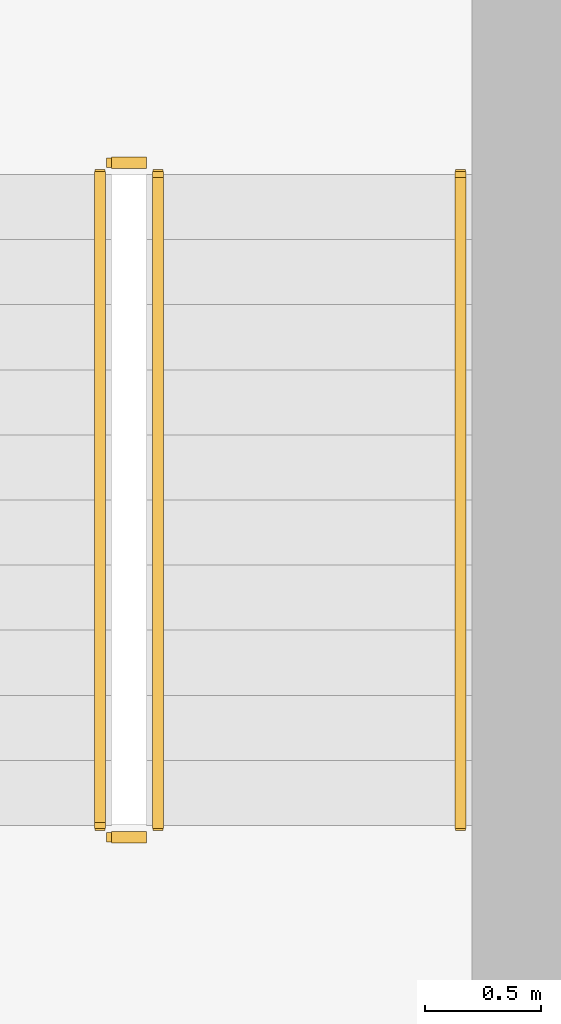
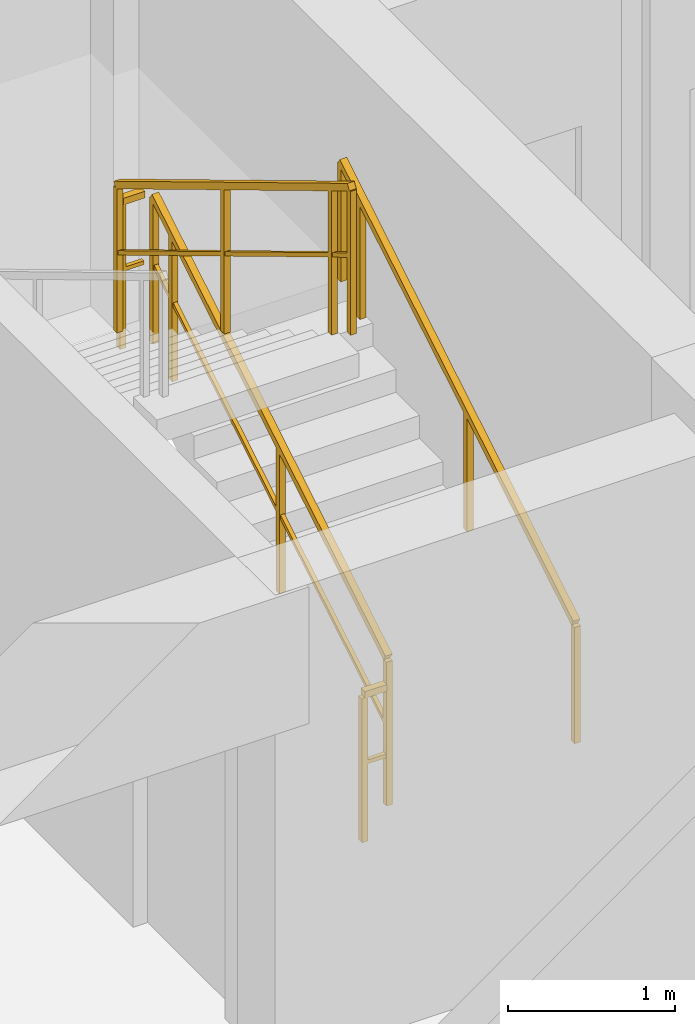
# One storey, part 16 of 17: 5 railings.
"""IFC4 building model written with IfcOpenShell, lengths in metres."""

from ifc_helpers import new_model, si_unit, direction, frame, origin, origin_2d, place, context, subcontext, project, spatial, rectangle, extrude, material, type_object, element, save


model = new_model("IFC4")

# Units and contexts
model_context = context("Model", 3, precision=1e-05, world=origin(), true_north=direction((0.0, 1.0)))
body_context = subcontext(model_context, "Body", "Model", "MODEL_VIEW")
ifc_project = project(units=[si_unit("LENGTHUNIT", "METRE"), si_unit("AREAUNIT", "SQUARE_METRE"), si_unit("VOLUMEUNIT", "CUBIC_METRE"), si_unit("PLANEANGLEUNIT", "RADIAN"), si_unit("MASSUNIT", "GRAM", prefix="KILO")], contexts=[model_context])

# Site, building, storey
site_placement = place(None, origin())
site = spatial("IfcSite", under=ifc_project, at=site_placement, CompositionType="ELEMENT")
building_placement = place(site_placement, origin())
building = spatial("IfcBuilding", under=site, at=building_placement, Name="Kaliganga Portal Commons", CompositionType="ELEMENT")
storey_placement = place(building_placement, frame((0.0, 0.0, 143.89990234375)))
storey = spatial("IfcBuildingStorey", under=building, at=storey_placement, Name="L36", CompositionType="ELEMENT", Elevation=143.89990234375)

# Railings
ifc_material_1 = material(Name="Galvanized Painted Steel Balustrade", Category="steel")
railing_type_1 = type_object("IfcRailingType", Name="RLG-STAIR-GRD", PredefinedType="GUARDRAIL", material=ifc_material_1)
railing_1_placement = place(storey_placement, frame((48.699951171875, 8.699951171875, 0.168212890625)))
element("IfcRailing", 1, at=railing_1_placement, inside=storey, type_object=railing_type_1, Name="L36 ST-B2 stair guard 1", PredefinedType="GUARDRAIL", context=body_context, shape_type="SweptSolid", body=[
    extrude(rectangle(XDim=0.048095703125, YDim=0.048095703125, at=origin_2d()), frame((0.0, 0.0, 1.072021484375), z_axis=(0.0, 0.857242210791, 0.514913383045), x_axis=(-1.0, 0.0, 0.0)), (0.0, 0.0, 1.0), 3.266357421875),
    extrude(rectangle(XDim=0.028076171875, YDim=0.028076171875, at=origin_2d()), frame((0.0, 0.0, 0.572021484375), z_axis=(0.0, 0.857242210791, 0.514913383045), x_axis=(-1.0, 0.0, 0.0)), (0.0, 0.0, 1.0), 3.266357421875),
    extrude(rectangle(XDim=0.0419921875, YDim=0.0419921875, at=origin_2d()), origin(), (0.0, 0.0, 1.0), 1.052001953125),
    extrude(rectangle(XDim=0.0419921875, YDim=0.0419921875, at=origin_2d()), frame((0.0, 1.285888671875, 0.7724609375)), (0.0, 0.0, 1.0), 1.052001953125),
    extrude(rectangle(XDim=0.0419921875, YDim=0.0419921875, at=origin_2d()), frame((0.0, 2.57177734375, 1.544677734375)), (0.0, 0.0, 1.0), 1.052001953125),
    extrude(rectangle(XDim=0.0419921875, YDim=0.0419921875, at=origin_2d()), frame((0.0, 2.800048828125, 1.681884765625)), (0.0, 0.0, 1.0), 1.052001953125),
])
railing_2_placement = place(storey_placement, frame((48.64990234375, 11.550048828125, 1.85009765625)))
element("IfcRailing", 2, at=railing_2_placement, inside=storey, type_object=railing_type_1, Name="L36 ST-B2 stair guard 2", PredefinedType="GUARDRAIL", context=body_context, shape_type="SweptSolid", body=[
    extrude(rectangle(XDim=0.048095703125, YDim=0.048095703125, at=origin_2d()), frame((0.0, 0.0, 1.076171875), z_axis=(-1.0, 0.0, 0.0), x_axis=(0.0, -1.0, 0.0)), (0.0, 0.0, 1.0), 0.14990234375),
    extrude(rectangle(XDim=0.028076171875, YDim=0.028076171875, at=origin_2d()), frame((0.0, 0.0, 0.572021484375), z_axis=(-1.0, 0.0, 0.0), x_axis=(0.0, -1.0, 0.0)), (0.0, 0.0, 1.0), 0.14990234375),
    extrude(rectangle(XDim=0.0419921875, YDim=0.0419921875, at=origin_2d()), frame((-0.14990234375, 0.0, 0.0)), (0.0, 0.0, 1.0), 1.052001953125),
])
railing_3_placement = place(storey_placement, frame((48.449951171875, 11.5, 2.018310546875)))
element("IfcRailing", 3, at=railing_3_placement, inside=storey, type_object=railing_type_1, Name="L36 ST-B2 stair guard 3", PredefinedType="GUARDRAIL", context=body_context, shape_type="SweptSolid", body=[
    extrude(rectangle(XDim=0.048095703125, YDim=0.048095703125, at=origin_2d()), frame((0.0, 0.0, 1.072021484375), z_axis=(0.0, -0.857242210791, 0.514913383045), x_axis=(1.0, 0.0, 0.0)), (0.0, 0.0, 1.0), 3.266357421875),
    extrude(rectangle(XDim=0.028076171875, YDim=0.028076171875, at=origin_2d()), frame((0.0, 0.0, 0.572021484375), z_axis=(0.0, -0.857242210791, 0.514913383045), x_axis=(1.0, 0.0, 0.0)), (0.0, 0.0, 1.0), 3.266357421875),
    extrude(rectangle(XDim=0.0419921875, YDim=0.0419921875, at=origin_2d()), origin(), (0.0, 0.0, 1.0), 1.052001953125),
    extrude(rectangle(XDim=0.0419921875, YDim=0.0419921875, at=origin_2d()), frame((0.0, -1.285888671875, 0.7724609375)), (0.0, 0.0, 1.0), 1.052001953125),
    extrude(rectangle(XDim=0.0419921875, YDim=0.0419921875, at=origin_2d()), frame((0.0, -2.57177734375, 1.544677734375)), (0.0, 0.0, 1.0), 1.052001953125),
    extrude(rectangle(XDim=0.0419921875, YDim=0.0419921875, at=origin_2d()), frame((0.0, -2.800048828125, 1.681884765625)), (0.0, 0.0, 1.0), 1.052001953125),
])
railing_4_placement = place(storey_placement, frame((48.64990234375, 8.64990234375, 0.0)))
element("IfcRailing", 4, at=railing_4_placement, inside=storey, type_object=railing_type_1, Name="L36 ST-B2 stair guard 4", PredefinedType="GUARDRAIL", context=body_context, shape_type="SweptSolid", body=[
    extrude(rectangle(XDim=0.048095703125, YDim=0.048095703125, at=origin_2d()), frame((0.0, 0.0, 1.076171875), z_axis=(-1.0, 0.0, 0.0), x_axis=(0.0, -1.0, 0.0)), (0.0, 0.0, 1.0), 0.14990234375),
    extrude(rectangle(XDim=0.028076171875, YDim=0.028076171875, at=origin_2d()), frame((0.0, 0.0, 0.572021484375), z_axis=(-1.0, 0.0, 0.0), x_axis=(0.0, -1.0, 0.0)), (0.0, 0.0, 1.0), 0.14990234375),
    extrude(rectangle(XDim=0.0419921875, YDim=0.0419921875, at=origin_2d()), frame((-0.14990234375, 0.0, 0.0)), (0.0, 0.0, 1.0), 1.052001953125),
])
ifc_material_2 = material(Name="Brushed Stainless Steel 316", Category="steel")
railing_type_2 = type_object("IfcRailingType", Name="RLG-STAIR-HR", PredefinedType="HANDRAIL", material=ifc_material_2)
railing_5_placement = place(storey_placement, frame((50.0, 8.699951171875, 0.168212890625)))
element("IfcRailing", 5, at=railing_5_placement, inside=storey, type_object=railing_type_2, Name="L36 ST-B2 stair handrail 1", PredefinedType="HANDRAIL", context=body_context, shape_type="SweptSolid", body=[
    extrude(rectangle(XDim=0.048095703125, YDim=0.048095703125, at=origin_2d()), frame((0.0, 0.0, 0.871826171875), z_axis=(0.0, 0.857242210791, 0.514913383045), x_axis=(-1.0, 0.0, 0.0)), (0.0, 0.0, 1.0), 3.266357421875),
    extrude(rectangle(XDim=0.0419921875, YDim=0.0419921875, at=origin_2d()), origin(), (0.0, 0.0, 1.0), 0.851806640625),
    extrude(rectangle(XDim=0.0419921875, YDim=0.0419921875, at=origin_2d()), frame((0.0, 1.285888671875, 0.7724609375)), (0.0, 0.0, 1.0), 0.851806640625),
    extrude(rectangle(XDim=0.0419921875, YDim=0.0419921875, at=origin_2d()), frame((0.0, 2.57177734375, 1.544677734375)), (0.0, 0.0, 1.0), 0.851806640625),
    extrude(rectangle(XDim=0.0419921875, YDim=0.0419921875, at=origin_2d()), frame((0.0, 2.800048828125, 1.681884765625)), (0.0, 0.0, 1.0), 0.851806640625),
])

save(model, "model.ifc")
